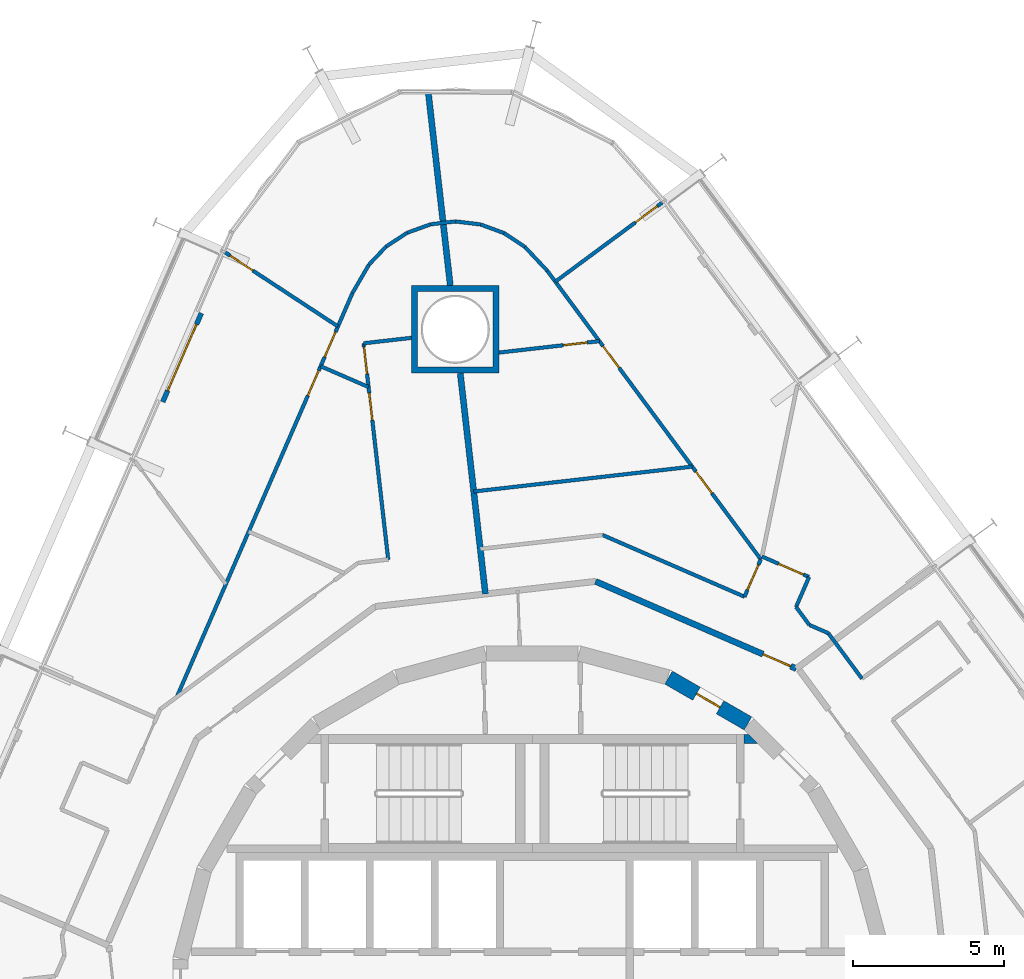
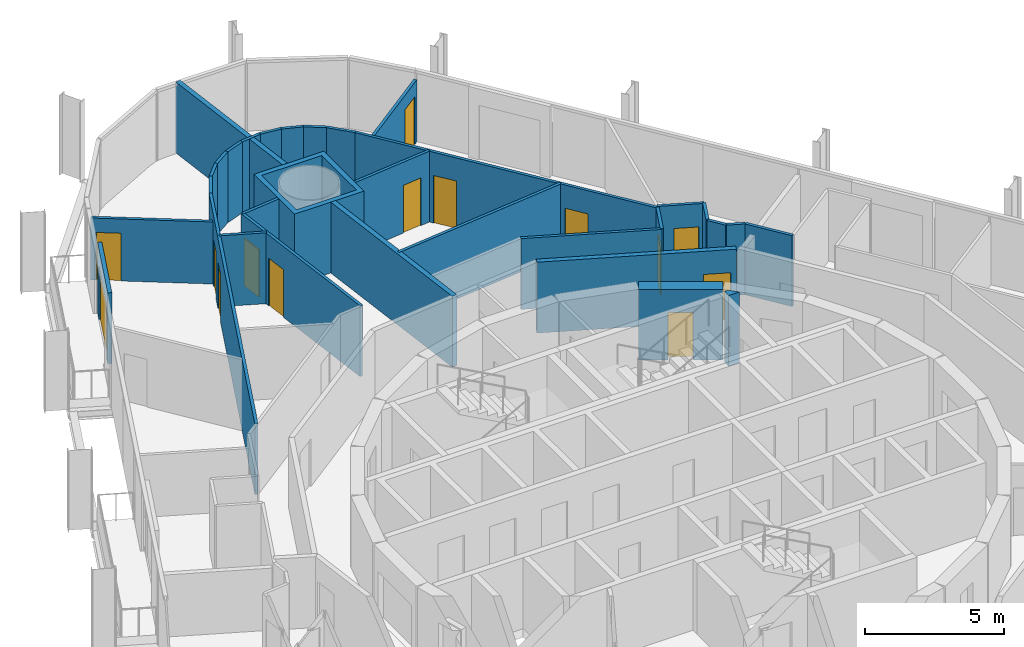
# One storey, part 19 of 22: 32 walls, 14 doors, 14 openings.
"""IFC4 building model written with IfcOpenShell, lengths in metres."""

from ifc_helpers import new_model, si_unit, direction, frame, frame_2d, origin, place, context, subcontext, project, spatial, polyline, rectangle, outline, extrude, material, layer, layer_set, type_object, element, fill, save


model = new_model("IFC4")

# Units and contexts
model_context = context("Model", 3, precision=1e-05, world=origin(), true_north=direction((0.0, 1.0)))
body_context = subcontext(model_context, "Body", "Model", "MODEL_VIEW")
ifc_project = project(units=[si_unit("LENGTHUNIT", "METRE"), si_unit("AREAUNIT", "SQUARE_METRE"), si_unit("VOLUMEUNIT", "CUBIC_METRE"), si_unit("PLANEANGLEUNIT", "RADIAN"), si_unit("MASSUNIT", "GRAM", prefix="KILO")], contexts=[model_context])

# Site, building, storey
site_placement = place(None, origin())
site = spatial("IfcSite", under=ifc_project, at=site_placement, CompositionType="ELEMENT")
building_placement = place(site_placement, origin())
building = spatial("IfcBuilding", under=site, at=building_placement, Name="Spindle Arch Residences", CompositionType="ELEMENT")
storey_placement = place(building_placement, frame((0.0, 0.0, 80.199951171875)))
storey = spatial("IfcBuildingStorey", under=building, at=storey_placement, Name="L18", CompositionType="ELEMENT", Elevation=80.199951171875)

# Wall, opening, door
ifc_material_1 = material(Name="Concrete C50/60", Category="concrete")
ifc_layer_1 = layer(ifc_material_1, 0.5)
ifc_layer_set_1 = layer_set([ifc_layer_1], Name="Core outline wall 500")
wall_type_1 = type_object("IfcWallType", Name="Core outline wall 500", PredefinedType="SHEAR", material=ifc_layer_set_1)
wall_1_placement = place(storey_placement, frame((7.13671875, 9.32861328125, 0.0), z_axis=(0.0, 0.0, 1.0), x_axis=(-0.865975092491, 0.500087131594, 0.0)))
wall_1 = element("IfcWall", 1, at=wall_1_placement, inside=storey, type_object=wall_type_1, Name="Core outline wall 10", PredefinedType="SHEAR", context=body_context, shape_type="SweptSolid", body=[
    extrude(rectangle(XDim=3.03271484375, YDim=0.5, at=frame_2d((1.516357421875, 0.0))), origin(), (0.0, 0.0, 1.0), 3.1201171875),
])
opening_1_placement = place(wall_1_placement, frame((1.06640625, 0.0, 0.0)))
opening_1 = element("IfcOpeningElement", 2, at=opening_1_placement, cuts=wall_1, Name="Opening R2A1-WD11", PredefinedType="OPENING", context=body_context, shape_type="SweptSolid", body=[
    extrude(rectangle(XDim=0.89990234375, YDim=2.10009765625, at=frame_2d((0.449951171875, 1.050048828125))), frame((0.0, 0.260009765625, 0.0), z_axis=(0.0, -1.0, 0.0), x_axis=(1.0, 0.0, 0.0)), (0.0, 0.0, 1.0), 0.52001953125),
])
ifc_material_2 = material(Name="Steel, fire-resisting door", Category="steel")
door_type_1 = type_object("IfcDoorType", Name="Service room door 900x2100", OperationType="SINGLE_SWING_LEFT", PredefinedType="DOOR", material=ifc_material_2)
door_1_placement = place(opening_1_placement, origin())
door_1 = element("IfcDoor", 3, at=door_1_placement, inside=storey, type_object=door_type_1, Name="Service room door R2A1-WD11", OperationType="SINGLE_SWING_RIGHT", OverallHeight=2.10009765625, OverallWidth=0.89990234375, PredefinedType="DOOR", context=body_context, shape_type="SweptSolid", body=[
    extrude(rectangle(XDim=0.89990234375, YDim=2.10009765625, at=frame_2d((0.449951171875, 1.050048828125))), frame((0.0, 0.02490234375, 0.0), z_axis=(0.0, -1.0, 0.0), x_axis=(1.0, 0.0, 0.0)), (0.0, 0.0, 1.0), 0.050048828125),
])
fill(opening_1, door_1)

ifc_material_3 = material(Name="Calcium silicate block, plastered")
ifc_layer_2 = layer(ifc_material_3, 0.199951171875)
ifc_layer_set_2 = layer_set([ifc_layer_2], Name="Corridor wall 200")
wall_type_2 = type_object("IfcWallType", Name="Corridor wall 200", PredefinedType="STANDARD", material=ifc_layer_set_2)
wall_2_placement = place(storey_placement, frame((8.735595703125, 11.140625, 0.0), z_axis=(0.0, 0.0, 1.0), x_axis=(-0.917051290697, 0.398769269416, 0.0)))
wall_2 = element("IfcWall", 4, at=wall_2_placement, inside=storey, type_object=wall_type_2, Name="Corridor wall R2A1-W007", PredefinedType="STANDARD", context=body_context, shape_type="SweptSolid", body=[
    extrude(rectangle(XDim=7.23974609375, YDim=0.199951171875, at=frame_2d((3.619873046875, 0.0))), origin(), (0.0, 0.0, 1.0), 3.1201171875),
])
opening_2_placement = place(wall_2_placement, frame((0.199951171875, 0.0, 0.0)))
opening_2 = element("IfcOpeningElement", 5, at=opening_2_placement, cuts=wall_2, Name="Opening R2A1-FD02", PredefinedType="OPENING", context=body_context, shape_type="SweptSolid", body=[
    extrude(rectangle(XDim=1.0, YDim=2.10009765625, at=frame_2d((0.5, 1.050048828125))), frame((0.0, 0.10986328125, 0.0), z_axis=(0.0, -1.0, 0.0), x_axis=(1.0, 0.0, 0.0)), (0.0, 0.0, 1.0), 0.219970703125),
])
ifc_material_4 = material(Name="Timber, fire-resisting door set", Category="wood")
door_type_2 = type_object("IfcDoorType", Name="Flat entrance door 1000x2100", OperationType="NOTDEFINED", PredefinedType="DOOR", material=ifc_material_4)
door_2_placement = place(opening_2_placement, origin())
door_2 = element("IfcDoor", 6, at=door_2_placement, inside=storey, type_object=door_type_2, Name="Flat entrance door R2A1-FD02", OperationType="SINGLE_SWING_RIGHT", OverallHeight=2.10009765625, OverallWidth=1.0, PredefinedType="DOOR", context=body_context, shape_type="SweptSolid", body=[
    extrude(rectangle(XDim=1.0, YDim=2.10009765625, at=frame_2d((0.5, 1.050048828125))), frame((0.0, 0.02490234375, 0.0), z_axis=(0.0, -1.0, 0.0), x_axis=(1.0, 0.0, 0.0)), (0.0, 0.0, 1.0), 0.050048828125),
])
fill(opening_2, door_2)

# Walls
ifc_material_5 = material(Name="Plasterboard on steel studs", Category="steel")
ifc_layer_3 = layer(ifc_material_5, 0.1201171875)
ifc_layer_set_3 = layer_set([ifc_layer_3], Name="Flat partition 120")
wall_type_3 = type_object("IfcWallType", Name="Flat partition 120", PredefinedType="PARTITIONING", material=ifc_layer_set_3)
wall_3_placement = place(storey_placement, frame((10.90966796875, 10.810302734375, 0.0), z_axis=(0.0, 0.0, 1.0), x_axis=(-0.59489693125, 0.803801991282, 0.0)))
element("IfcWall", 7, at=wall_3_placement, inside=storey, type_object=wall_type_3, Name="Flat partition R2A1-W033", PredefinedType="PARTITIONING", context=body_context, shape_type="SweptSolid", body=[
    extrude(rectangle(XDim=1.872314453125, YDim=0.1201171875, at=frame_2d((0.93603515625, 0.0))), origin(), (0.0, 0.0, 1.0), 3.1201171875),
])
wall_4_placement = place(storey_placement, frame((9.7958984375, 12.315185546875, 0.0), z_axis=(0.0, 0.0, 1.0), x_axis=(-0.916973672273, 0.398947721335, 0.0)))
element("IfcWall", 8, at=wall_4_placement, inside=storey, type_object=wall_type_3, Name="Flat partition R2A1-W047", PredefinedType="PARTITIONING", context=body_context, shape_type="SweptSolid", body=[
    extrude(rectangle(XDim=0.684814453125, YDim=0.1201171875, at=frame_2d((0.34228515625, 0.0))), origin(), (0.0, 0.0, 1.0), 3.1201171875),
])
wall_5_placement = place(storey_placement, frame((9.16796875, 12.58837890625, 0.0), z_axis=(0.0, 0.0, 1.0), x_axis=(-0.595069416139, 0.803674305908, 0.0)))
element("IfcWall", 9, at=wall_5_placement, inside=storey, type_object=wall_type_3, Name="Flat partition R2A1-W048", PredefinedType="PARTITIONING", context=body_context, shape_type="SweptSolid", body=[
    extrude(rectangle(XDim=0.738525390625, YDim=0.1201171875, at=frame_2d((0.369140625, 0.0))), origin(), (0.0, 0.0, 1.0), 3.1201171875),
])
wall_6_placement = place(storey_placement, frame((8.728515625, 13.181884765625, 0.0), z_axis=(0.0, 0.0, 1.0), x_axis=(0.398792168027, 0.917041333158, 0.0)))
element("IfcWall", 10, at=wall_6_placement, inside=storey, type_object=wall_type_3, Name="Flat partition R2A1-W049", PredefinedType="PARTITIONING", context=body_context, shape_type="SweptSolid", body=[
    extrude(rectangle(XDim=1.0810546875, YDim=0.1201171875, at=frame_2d((0.54052734375, 0.0))), origin(), (0.0, 0.0, 1.0), 3.1201171875),
])

# Wall, opening, door
wall_7_placement = place(storey_placement, frame((9.15966796875, 14.17333984375, 0.0), z_axis=(0.0, 0.0, 1.0), x_axis=(-0.917044941137, 0.398783871208, 0.0)))
wall_7 = element("IfcWall", 11, at=wall_7_placement, inside=storey, type_object=wall_type_3, Name="Flat partition R2A1-W050", PredefinedType="PARTITIONING", context=body_context, shape_type="SweptSolid", body=[
    extrude(rectangle(XDim=1.7001953125, YDim=0.1201171875, at=frame_2d((0.85009765625, 0.0))), origin(), (0.0, 0.0, 1.0), 3.1201171875),
])
opening_3_placement = place(wall_7_placement, frame((0.199951171875, 0.0, 0.0)))
opening_3 = element("IfcOpeningElement", 12, at=opening_3_placement, cuts=wall_7, Name="Opening R2A1-ID06", PredefinedType="OPENING", context=body_context, shape_type="SweptSolid", body=[
    extrude(rectangle(XDim=0.89990234375, YDim=2.10009765625, at=frame_2d((0.449951171875, 1.050048828125))), frame((0.0, 0.070068359375, 0.0), z_axis=(0.0, -1.0, 0.0), x_axis=(1.0, 0.0, 0.0)), (0.0, 0.0, 1.0), 0.14013671875),
])
ifc_material_6 = material(Name="Timber door set", Category="wood")
door_type_3 = type_object("IfcDoorType", Name="Room door 900x2100", OperationType="NOTDEFINED", PredefinedType="DOOR", material=ifc_material_6)
door_3_placement = place(opening_3_placement, origin())
door_3 = element("IfcDoor", 13, at=door_3_placement, inside=storey, type_object=door_type_3, Name="Room door R2A1-ID06", OperationType="SINGLE_SWING_RIGHT", OverallHeight=2.10009765625, OverallWidth=0.89990234375, PredefinedType="DOOR", context=body_context, shape_type="SweptSolid", body=[
    extrude(rectangle(XDim=0.89990234375, YDim=2.10009765625, at=frame_2d((0.449951171875, 1.050048828125))), frame((0.0, 0.02490234375, 0.0), z_axis=(0.0, -1.0, 0.0), x_axis=(1.0, 0.0, 0.0)), (0.0, 0.0, 1.0), 0.050048828125),
])
fill(opening_3, door_3)

wall_8_placement = place(storey_placement, frame((7.56103515625, 14.760009765625, 0.0), z_axis=(0.0, 0.0, 1.0), x_axis=(-0.398712893488, -0.917075803064, 0.0)))
wall_8 = element("IfcWall", 14, at=wall_8_placement, inside=storey, type_object=wall_type_3, Name="Flat partition R2A1-W051", PredefinedType="PARTITIONING", context=body_context, shape_type="SweptSolid", body=[
    extrude(rectangle(XDim=1.350830078125, YDim=0.1201171875, at=frame_2d((0.67529296875, 0.0))), origin(), (0.0, 0.0, 1.0), 3.1201171875),
])
opening_4_placement = place(wall_8_placement, frame((0.199951171875, 0.0, 0.0)))
opening_4 = element("IfcOpeningElement", 15, at=opening_4_placement, cuts=wall_8, Name="Opening R2A1-ID07", PredefinedType="OPENING", context=body_context, shape_type="SweptSolid", body=[
    extrude(rectangle(XDim=0.89990234375, YDim=2.10009765625, at=frame_2d((0.449951171875, 1.050048828125))), frame((0.0, 0.070068359375, 0.0), z_axis=(0.0, -1.0, 0.0), x_axis=(1.0, 0.0, 0.0)), (0.0, 0.0, 1.0), 0.14013671875),
])
door_4_placement = place(opening_4_placement, origin())
door_4 = element("IfcDoor", 16, at=door_4_placement, inside=storey, type_object=door_type_3, Name="Room door R2A1-ID07", OperationType="SINGLE_SWING_LEFT", OverallHeight=2.10009765625, OverallWidth=0.89990234375, PredefinedType="DOOR", context=body_context, shape_type="SweptSolid", body=[
    extrude(rectangle(XDim=0.89990234375, YDim=2.10009765625, at=frame_2d((0.449951171875, 1.050048828125))), frame((0.0, 0.02490234375, 0.0), z_axis=(0.0, -1.0, 0.0), x_axis=(1.0, 0.0, 0.0)), (0.0, 0.0, 1.0), 0.050048828125),
])
fill(opening_4, door_4)

# Wall
wall_9_placement = place(storey_placement, frame((7.0224609375, 13.521240234375, 0.0), z_axis=(0.0, 0.0, 1.0), x_axis=(-0.91706854044, 0.398729597767, 0.0)))
element("IfcWall", 17, at=wall_9_placement, inside=storey, type_object=wall_type_3, Name="Flat partition R2A1-W052", PredefinedType="PARTITIONING", context=body_context, shape_type="SweptSolid", body=[
    extrude(rectangle(XDim=5.121337890625, YDim=0.1201171875, at=frame_2d((2.560546875, 0.0))), origin(), (0.0, 0.0, 1.0), 3.1201171875),
])

# Wall, openings, doors
wall_10_placement = place(storey_placement, frame((0.49755859375, 24.3056640625, 0.0), z_axis=(0.0, 0.0, 1.0), x_axis=(0.594826266513, -0.803854285718, 0.0)))
wall_10 = element("IfcWall", 18, at=wall_10_placement, inside=storey, type_object=wall_type_3, Name="Flat partition R2A1-W055", PredefinedType="PARTITIONING", context=body_context, shape_type="SweptSolid", body=[
    extrude(rectangle(XDim=11.874755859375, YDim=0.1201171875, at=frame_2d((5.9375, 0.0))), origin(), (0.0, 0.0, 1.0), 3.1201171875),
])
opening_5_placement = place(wall_10_placement, frame((8.259521484375, 0.0, 0.0)))
opening_5 = element("IfcOpeningElement", 19, at=opening_5_placement, cuts=wall_10, Name="Opening R2A1-ID08", PredefinedType="OPENING", context=body_context, shape_type="SweptSolid", body=[
    extrude(rectangle(XDim=0.89990234375, YDim=2.10009765625, at=frame_2d((0.449951171875, 1.050048828125))), frame((0.0, 0.070068359375, 0.0), z_axis=(0.0, -1.0, 0.0), x_axis=(1.0, 0.0, 0.0)), (0.0, 0.0, 1.0), 0.14013671875),
])
opening_6_placement = place(wall_10_placement, frame((3.093505859375, 0.0, 0.0)))
opening_6 = element("IfcOpeningElement", 20, at=opening_6_placement, cuts=wall_10, Name="Opening R2A1-ID09", PredefinedType="OPENING", context=body_context, shape_type="SweptSolid", body=[
    extrude(rectangle(XDim=0.89990234375, YDim=2.10009765625, at=frame_2d((0.449951171875, 1.050048828125))), frame((0.0, 0.070068359375, 0.0), z_axis=(0.0, -1.0, 0.0), x_axis=(1.0, 0.0, 0.0)), (0.0, 0.0, 1.0), 0.14013671875),
])
door_5_placement = place(opening_5_placement, origin())
door_5 = element("IfcDoor", 21, at=door_5_placement, inside=storey, type_object=door_type_3, Name="Room door R2A1-ID08", OperationType="SINGLE_SWING_RIGHT", OverallHeight=2.10009765625, OverallWidth=0.89990234375, PredefinedType="DOOR", context=body_context, shape_type="SweptSolid", body=[
    extrude(rectangle(XDim=0.89990234375, YDim=2.10009765625, at=frame_2d((0.449951171875, 1.050048828125))), frame((0.0, 0.02490234375, 0.0), z_axis=(0.0, -1.0, 0.0), x_axis=(1.0, 0.0, 0.0)), (0.0, 0.0, 1.0), 0.050048828125),
])
fill(opening_5, door_5)
door_6_placement = place(opening_6_placement, origin())
door_6 = element("IfcDoor", 22, at=door_6_placement, inside=storey, type_object=door_type_3, Name="Room door R2A1-ID09", OperationType="SINGLE_SWING_LEFT", OverallHeight=2.10009765625, OverallWidth=0.89990234375, PredefinedType="DOOR", context=body_context, shape_type="SweptSolid", body=[
    extrude(rectangle(XDim=0.89990234375, YDim=2.10009765625, at=frame_2d((0.449951171875, 1.050048828125))), frame((0.0, 0.02490234375, 0.0), z_axis=(0.0, -1.0, 0.0), x_axis=(1.0, 0.0, 0.0)), (0.0, 0.0, 1.0), 0.050048828125),
])
fill(opening_6, door_6)

# Wall
wall_11_placement = place(storey_placement, frame((5.29150390625, 17.826904296875, 0.0), z_axis=(0.0, 0.0, 1.0), x_axis=(-0.993570041735, -0.113219133399, 0.0)))
element("IfcWall", 23, at=wall_11_placement, inside=storey, type_object=wall_type_3, Name="Flat partition R2A1-W057", PredefinedType="PARTITIONING", context=body_context, shape_type="SweptSolid", body=[
    extrude(rectangle(XDim=7.275634765625, YDim=0.1201171875, at=frame_2d((3.6376953125, 0.0))), origin(), (0.0, 0.0, 1.0), 3.1201171875),
])

# Wall, opening, door
wall_12_placement = place(storey_placement, frame((2.21875, 21.9794921875, 0.0), z_axis=(0.0, 0.0, 1.0), x_axis=(-0.99357408397, -0.113183654573, 0.0)))
wall_12 = element("IfcWall", 24, at=wall_12_placement, inside=storey, type_object=wall_type_3, Name="Flat partition R2A1-W058", PredefinedType="PARTITIONING", context=body_context, shape_type="SweptSolid", body=[
    extrude(rectangle(XDim=3.339111328125, YDim=0.1201171875, at=frame_2d((1.66943359375, 0.0))), origin(), (0.0, 0.0, 1.0), 3.1201171875),
])
opening_7_placement = place(wall_12_placement, frame((0.39990234375, 0.0, 0.0)))
opening_7 = element("IfcOpeningElement", 25, at=opening_7_placement, cuts=wall_12, Name="Opening R2A1-BD03", PredefinedType="OPENING", context=body_context, shape_type="SweptSolid", body=[
    extrude(rectangle(XDim=0.800048828125, YDim=2.10009765625, at=frame_2d((0.39990234375, 1.050048828125))), frame((0.0, 0.070068359375, 0.0), z_axis=(0.0, -1.0, 0.0), x_axis=(1.0, 0.0, 0.0)), (0.0, 0.0, 1.0), 0.14013671875),
])
ifc_material_7 = material(Name="Timber door set", Category="wood")
door_type_4 = type_object("IfcDoorType", Name="Bathroom door 800x2100", OperationType="NOTDEFINED", PredefinedType="DOOR", material=ifc_material_7)
door_7_placement = place(opening_7_placement, origin())
door_7 = element("IfcDoor", 26, at=door_7_placement, inside=storey, type_object=door_type_4, Name="Bathroom door R2A1-BD03", OperationType="SINGLE_SWING_RIGHT", OverallHeight=2.10009765625, OverallWidth=0.800048828125, PredefinedType="DOOR", context=body_context, shape_type="SweptSolid", body=[
    extrude(rectangle(XDim=0.800048828125, YDim=2.10009765625, at=frame_2d((0.39990234375, 1.050048828125))), frame((0.0, 0.02490234375, 0.0), z_axis=(0.0, -1.0, 0.0), x_axis=(1.0, 0.0, 0.0)), (0.0, 0.0, 1.0), 0.050048828125),
])
fill(opening_7, door_7)

# Walls
for number, where, z_axis, x_axis, name in (
    (27, (-3.36181640625, 25.846435546875, 0.0), (0.0, 0.0, 1.0), (0.993548802859, 0.113405362912, 0.0), "Flat partition R2A1-W059"),
    (28, (-2.538330078125, 25.9404296875, 0.0), (0.0, 0.0, 1.0), (0.992894945409, -0.118994232556, 0.0), "Flat partition R2A1-W060"),
    (29, (-1.71533203125, 25.841796875, 0.0), (0.0, 0.0, 1.0), (0.938644465852, -0.344886309856, 0.0), "Flat partition R2A1-W061"),
    (30, (-0.937255859375, 25.555908203125, 0.0), (0.0, 0.0, 1.0), (0.833858440069, -0.551978352769, 0.0), "Flat partition R2A1-W062"),
):
    element("IfcWall", number, at=place(storey_placement, frame(where, z_axis=z_axis, x_axis=x_axis)), inside=storey, type_object=wall_type_3, Name=name, PredefinedType="PARTITIONING", context=body_context, shape_type="SweptSolid", body=[
        extrude(rectangle(XDim=0.828857421875, YDim=0.1201171875, at=frame_2d((0.41455078125, 0.0))), origin(), (0.0, 0.0, 1.0), 3.1201171875),
    ])
wall_13_placement = place(storey_placement, frame((-0.24609375, 25.098388671875, 0.0), z_axis=(0.0, 0.0, 1.0), x_axis=(0.684172712488, -0.729320025426, 0.0)))
element("IfcWall", 31, at=wall_13_placement, inside=storey, type_object=wall_type_3, Name="Flat partition R2A1-W063", PredefinedType="PARTITIONING", context=body_context, shape_type="SweptSolid", body=[
    extrude(rectangle(XDim=1.0869140625, YDim=0.1201171875, at=frame_2d((0.54345703125, 0.0))), origin(), (0.0, 0.0, 1.0), 3.1201171875),
])
wall_14_placement = place(storey_placement, frame((-3.998779296875, 22.089111328125, 0.0), z_axis=(0.0, 0.0, 1.0), x_axis=(-0.993550908639, -0.113386912568, 0.0)))
element("IfcWall", 32, at=wall_14_placement, inside=storey, type_object=wall_type_3, Name="Flat partition R2A1-W064", PredefinedType="PARTITIONING", context=body_context, shape_type="SweptSolid", body=[
    extrude(rectangle(XDim=1.595458984375, YDim=0.1201171875, at=frame_2d((0.7978515625, 0.0))), origin(), (0.0, 0.0, 1.0), 3.1201171875),
])

# Wall, openings, doors
wall_15_placement = place(storey_placement, frame((-5.583984375, 21.908203125, 0.0), z_axis=(0.0, 0.0, 1.0), x_axis=(0.113192725021, -0.993573050662, 0.0)))
wall_15 = element("IfcWall", 33, at=wall_15_placement, inside=storey, type_object=wall_type_3, Name="Flat partition R2A1-W065", PredefinedType="PARTITIONING", context=body_context, shape_type="SweptSolid", body=[
    extrude(rectangle(XDim=7.19970703125, YDim=0.1201171875, at=frame_2d((3.599853515625, 0.0))), origin(), (0.0, 0.0, 1.0), 3.1201171875),
])
opening_8_placement = place(wall_15_placement, frame((0.1201171875, 0.0, 0.0)))
opening_8 = element("IfcOpeningElement", 34, at=opening_8_placement, cuts=wall_15, Name="Opening R2A1-ID11", PredefinedType="OPENING", context=body_context, shape_type="SweptSolid", body=[
    extrude(rectangle(XDim=0.89990234375, YDim=2.10009765625, at=frame_2d((0.449951171875, 1.050048828125))), frame((0.0, 0.070068359375, 0.0), z_axis=(0.0, -1.0, 0.0), x_axis=(1.0, 0.0, 0.0)), (0.0, 0.0, 1.0), 0.14013671875),
])
opening_9_placement = place(wall_15_placement, frame((1.658203125, 0.0, 0.0)))
opening_9 = element("IfcOpeningElement", 35, at=opening_9_placement, cuts=wall_15, Name="Opening R2A1-ID12", PredefinedType="OPENING", context=body_context, shape_type="SweptSolid", body=[
    extrude(rectangle(XDim=0.89990234375, YDim=2.10009765625, at=frame_2d((0.449951171875, 1.050048828125))), frame((0.0, 0.070068359375, 0.0), z_axis=(0.0, -1.0, 0.0), x_axis=(1.0, 0.0, 0.0)), (0.0, 0.0, 1.0), 0.14013671875),
])
door_8_placement = place(opening_8_placement, origin())
door_8 = element("IfcDoor", 36, at=door_8_placement, inside=storey, type_object=door_type_3, Name="Room door R2A1-ID11", OperationType="SINGLE_SWING_RIGHT", OverallHeight=2.10009765625, OverallWidth=0.89990234375, PredefinedType="DOOR", context=body_context, shape_type="SweptSolid", body=[
    extrude(rectangle(XDim=0.89990234375, YDim=2.10009765625, at=frame_2d((0.449951171875, 1.050048828125))), frame((0.0, 0.02490234375, 0.0), z_axis=(0.0, -1.0, 0.0), x_axis=(1.0, 0.0, 0.0)), (0.0, 0.0, 1.0), 0.050048828125),
])
fill(opening_8, door_8)
door_9_placement = place(opening_9_placement, origin())
door_9 = element("IfcDoor", 37, at=door_9_placement, inside=storey, type_object=door_type_3, Name="Room door R2A1-ID12", OperationType="SINGLE_SWING_LEFT", OverallHeight=2.10009765625, OverallWidth=0.89990234375, PredefinedType="DOOR", context=body_context, shape_type="SweptSolid", body=[
    extrude(rectangle(XDim=0.89990234375, YDim=2.10009765625, at=frame_2d((0.449951171875, 1.050048828125))), frame((0.0, 0.02490234375, 0.0), z_axis=(0.0, -1.0, 0.0), x_axis=(1.0, 0.0, 0.0)), (0.0, 0.0, 1.0), 0.050048828125),
])
fill(opening_9, door_9)

# Walls
wall_16_placement = place(storey_placement, frame((-3.36181640625, 25.846435546875, 0.0), z_axis=(0.0, 0.0, 1.0), x_axis=(-0.940718391217, -0.33918860303, 0.0)))
element("IfcWall", 38, at=wall_16_placement, inside=storey, type_object=wall_type_3, Name="Flat partition R2A1-W073", PredefinedType="PARTITIONING", context=body_context, shape_type="SweptSolid", body=[
    extrude(rectangle(XDim=0.8291015625, YDim=0.1201171875, at=frame_2d((0.41455078125, 0.0))), origin(), (0.0, 0.0, 1.0), 3.1201171875),
])
wall_17_placement = place(storey_placement, frame((-4.141845703125, 25.565185546875, 0.0), z_axis=(0.0, 0.0, 1.0), x_axis=(-0.837047461437, -0.547130283664, 0.0)))
element("IfcWall", 39, at=wall_17_placement, inside=storey, type_object=wall_type_3, Name="Flat partition R2A1-W074", PredefinedType="PARTITIONING", context=body_context, shape_type="SweptSolid", body=[
    extrude(rectangle(XDim=0.82861328125, YDim=0.1201171875, at=frame_2d((0.414306640625, 0.0))), origin(), (0.0, 0.0, 1.0), 3.1201171875),
])
wall_18_placement = place(storey_placement, frame((-4.83544921875, 25.11181640625, 0.0), z_axis=(0.0, 0.0, 1.0), x_axis=(-0.688463067416, -0.72527140079, 0.0)))
element("IfcWall", 40, at=wall_18_placement, inside=storey, type_object=wall_type_3, Name="Flat partition R2A1-W075", PredefinedType="PARTITIONING", context=body_context, shape_type="SweptSolid", body=[
    extrude(rectangle(XDim=0.8291015625, YDim=0.1201171875, at=frame_2d((0.41455078125, 0.0))), origin(), (0.0, 0.0, 1.0), 3.1201171875),
])
wall_19_placement = place(storey_placement, frame((-5.40625, 24.510498046875, 0.0), z_axis=(0.0, 0.0, 1.0), x_axis=(-0.502487709822, -0.864584351858, 0.0)))
element("IfcWall", 41, at=wall_19_placement, inside=storey, type_object=wall_type_3, Name="Flat partition R2A1-W076", PredefinedType="PARTITIONING", context=body_context, shape_type="SweptSolid", body=[
    extrude(rectangle(XDim=1.0869140625, YDim=0.1201171875, at=frame_2d((0.54345703125, 0.0))), origin(), (0.0, 0.0, 1.0), 3.1201171875),
])

# Wall, openings, doors
wall_20_placement = place(storey_placement, frame((-5.952392578125, 23.57080078125, 0.0), z_axis=(0.0, 0.0, 1.0), x_axis=(-0.398745097158, -0.917061801348, 0.0)))
wall_20 = element("IfcWall", 42, at=wall_20_placement, inside=storey, type_object=wall_type_3, Name="Flat partition R2A1-W077", PredefinedType="PARTITIONING", context=body_context, shape_type="SweptSolid", body=[
    extrude(rectangle(XDim=14.576416015625, YDim=0.1201171875, at=frame_2d((7.2880859375, 0.0))), origin(), (0.0, 0.0, 1.0), 3.1201171875),
])
opening_10_placement = place(wall_20_placement, frame((2.800537109375, 0.0, 0.0)))
opening_10 = element("IfcOpeningElement", 43, at=opening_10_placement, cuts=wall_20, Name="Opening R2A1-ID14", PredefinedType="OPENING", context=body_context, shape_type="SweptSolid", body=[
    extrude(rectangle(XDim=0.89990234375, YDim=2.10009765625, at=frame_2d((0.449951171875, 1.050048828125))), frame((0.0, 0.070068359375, 0.0), z_axis=(0.0, -1.0, 0.0), x_axis=(1.0, 0.0, 0.0)), (0.0, 0.0, 1.0), 0.14013671875),
])
opening_11_placement = place(wall_20_placement, frame((1.40478515625, 0.0, 0.0)))
opening_11 = element("IfcOpeningElement", 44, at=opening_11_placement, cuts=wall_20, Name="Opening R2A1-ID17", PredefinedType="OPENING", context=body_context, shape_type="SweptSolid", body=[
    extrude(rectangle(XDim=0.89990234375, YDim=2.10009765625, at=frame_2d((0.449951171875, 1.050048828125))), frame((0.0, 0.070068359375, 0.0), z_axis=(0.0, -1.0, 0.0), x_axis=(1.0, 0.0, 0.0)), (0.0, 0.0, 1.0), 0.14013671875),
])
door_10_placement = place(opening_10_placement, origin())
door_10 = element("IfcDoor", 45, at=door_10_placement, inside=storey, type_object=door_type_3, Name="Room door R2A1-ID14", OperationType="SINGLE_SWING_LEFT", OverallHeight=2.10009765625, OverallWidth=0.89990234375, PredefinedType="DOOR", context=body_context, shape_type="SweptSolid", body=[
    extrude(rectangle(XDim=0.89990234375, YDim=2.10009765625, at=frame_2d((0.449951171875, 1.050048828125))), frame((0.0, 0.02490234375, 0.0), z_axis=(0.0, -1.0, 0.0), x_axis=(1.0, 0.0, 0.0)), (0.0, 0.0, 1.0), 0.050048828125),
])
fill(opening_10, door_10)
door_11_placement = place(opening_11_placement, origin())
door_11 = element("IfcDoor", 46, at=door_11_placement, inside=storey, type_object=door_type_3, Name="Room door R2A1-ID17", OperationType="SINGLE_SWING_RIGHT", OverallHeight=2.10009765625, OverallWidth=0.89990234375, PredefinedType="DOOR", context=body_context, shape_type="SweptSolid", body=[
    extrude(rectangle(XDim=0.89990234375, YDim=2.10009765625, at=frame_2d((0.449951171875, 1.050048828125))), frame((0.0, 0.02490234375, 0.0), z_axis=(0.0, -1.0, 0.0), x_axis=(1.0, 0.0, 0.0)), (0.0, 0.0, 1.0), 0.050048828125),
])
fill(opening_11, door_11)

# Wall
wall_21_placement = place(storey_placement, frame((-7.00537109375, 21.149169921875, 0.0), z_axis=(0.0, 0.0, 1.0), x_axis=(0.917081274718, -0.398700307953, 0.0)))
element("IfcWall", 47, at=wall_21_placement, inside=storey, type_object=wall_type_3, Name="Flat partition R2A1-W078", PredefinedType="PARTITIONING", context=body_context, shape_type="SweptSolid", body=[
    extrude(rectangle(XDim=1.72998046875, YDim=0.1201171875, at=frame_2d((0.864990234375, 0.0))), origin(), (0.0, 0.0, 1.0), 3.1201171875),
])

# Wall, opening, door
ifc_material_8 = material(Name="Plasterboard on steel studs", Category="steel")
ifc_layer_4 = layer(ifc_material_8, 0.1201171875)
ifc_layer_set_4 = layer_set([ifc_layer_4], Name="Flat partition 120 under beam 2730")
wall_type_4 = type_object("IfcWallType", Name="Flat partition 120 under beam 2730", PredefinedType="PARTITIONING", material=ifc_layer_set_4)
wall_22_placement = place(storey_placement, frame((4.29931640625, 26.56494140625, 0.0), z_axis=(0.0, 0.0, 1.0), x_axis=(-0.803851981262, -0.594829380764, 0.0)))
wall_22 = element("IfcWall", 48, at=wall_22_placement, inside=storey, type_object=wall_type_4, Name="Flat partition R2A1-W056", PredefinedType="PARTITIONING", context=body_context, shape_type="SweptSolid", body=[
    extrude(rectangle(XDim=4.39990234375, YDim=0.1201171875, at=frame_2d((2.199951171875, 0.0))), origin(), (0.0, 0.0, 1.0), 2.72998046875),
])
opening_12_placement = place(wall_22_placement, frame((0.199951171875, 0.0, 0.0)))
opening_12 = element("IfcOpeningElement", 49, at=opening_12_placement, cuts=wall_22, Name="Opening R2A1-ID10", PredefinedType="OPENING", context=body_context, shape_type="SweptSolid", body=[
    extrude(rectangle(XDim=0.89990234375, YDim=2.10009765625, at=frame_2d((0.449951171875, 1.050048828125))), frame((0.0, 0.070068359375, 0.0), z_axis=(0.0, -1.0, 0.0), x_axis=(1.0, 0.0, 0.0)), (0.0, 0.0, 1.0), 0.14013671875),
])
door_12_placement = place(opening_12_placement, origin())
door_12 = element("IfcDoor", 50, at=door_12_placement, inside=storey, type_object=door_type_3, Name="Room door R2A1-ID10", OperationType="SINGLE_SWING_RIGHT", OverallHeight=2.10009765625, OverallWidth=0.89990234375, PredefinedType="DOOR", context=body_context, shape_type="SweptSolid", body=[
    extrude(rectangle(XDim=0.89990234375, YDim=2.10009765625, at=frame_2d((0.449951171875, 1.050048828125))), frame((0.0, 0.02490234375, 0.0), z_axis=(0.0, -1.0, 0.0), x_axis=(1.0, 0.0, 0.0)), (0.0, 0.0, 1.0), 0.050048828125),
])
fill(opening_12, door_12)

wall_23_placement = place(storey_placement, frame((-10.1650390625, 24.9169921875, 0.0), z_axis=(0.0, 0.0, 1.0), x_axis=(0.835849562932, -0.548958566876, 0.0)))
wall_23 = element("IfcWall", 51, at=wall_23_placement, inside=storey, type_object=wall_type_4, Name="Flat partition R2A1-W079", PredefinedType="PARTITIONING", context=body_context, shape_type="SweptSolid", body=[
    extrude(rectangle(XDim=4.465087890625, YDim=0.1201171875, at=frame_2d((2.232421875, 0.0))), origin(), (0.0, 0.0, 1.0), 2.72998046875),
])
opening_13_placement = place(wall_23_placement, frame((0.199951171875, 0.0, 0.0)))
opening_13 = element("IfcOpeningElement", 52, at=opening_13_placement, cuts=wall_23, Name="Opening R2A1-ID15", PredefinedType="OPENING", context=body_context, shape_type="SweptSolid", body=[
    extrude(rectangle(XDim=0.89990234375, YDim=2.10009765625, at=frame_2d((0.449951171875, 1.050048828125))), frame((0.0, 0.070068359375, 0.0), z_axis=(0.0, -1.0, 0.0), x_axis=(1.0, 0.0, 0.0)), (0.0, 0.0, 1.0), 0.14013671875),
])
door_13_placement = place(opening_13_placement, origin())
door_13 = element("IfcDoor", 53, at=door_13_placement, inside=storey, type_object=door_type_3, Name="Room door R2A1-ID15", OperationType="SINGLE_SWING_LEFT", OverallHeight=2.10009765625, OverallWidth=0.89990234375, PredefinedType="DOOR", context=body_context, shape_type="SweptSolid", body=[
    extrude(rectangle(XDim=0.89990234375, YDim=2.10009765625, at=frame_2d((0.449951171875, 1.050048828125))), frame((0.0, 0.02490234375, 0.0), z_axis=(0.0, -1.0, 0.0), x_axis=(1.0, 0.0, 0.0)), (0.0, 0.0, 1.0), 0.050048828125),
])
fill(opening_13, door_13)

# Walls
ifc_material_9 = material(Name="Calcium silicate block, plastered")
ifc_layer_5 = layer(ifc_material_9, 0.199951171875)
ifc_layer_set_5 = layer_set([ifc_layer_5], Name="Flat party wall 200")
wall_type_5 = type_object("IfcWallType", Name="Flat party wall 200", PredefinedType="STANDARD", material=ifc_layer_set_5)
wall_24_placement = place(storey_placement, frame((-2.384521484375, 20.92041015625, 0.0), z_axis=(0.0, 0.0, 1.0), x_axis=(0.113177776247, -0.993574753586, 0.0)))
element("IfcWall", 54, at=wall_24_placement, inside=storey, type_object=wall_type_5, Name="Flat party wall R2A1-W020", PredefinedType="STANDARD", context=body_context, shape_type="SweptSolid", body=[
    extrude(rectangle(XDim=7.35595703125, YDim=0.199951171875, at=frame_2d((3.677978515625, 0.0))), origin(), (0.0, 0.0, 1.0), 3.1201171875),
])
wall_25_placement = place(storey_placement, frame((-3.4482421875, 30.26513671875, 0.0), z_axis=(0.0, 0.0, 1.0), x_axis=(0.113178237968, -0.993574700992, 0.0)))
element("IfcWall", 55, at=wall_25_placement, inside=storey, type_object=wall_type_5, Name="Flat party wall R2A1-W021", PredefinedType="STANDARD", context=body_context, shape_type="SweptSolid", body=[
    extrude(rectangle(XDim=6.486572265625, YDim=0.199951171875, at=frame_2d((3.2431640625, 0.0))), origin(), (0.0, 0.0, 1.0), 3.1201171875),
])

# Wall, opening, door
ifc_material_10 = material(Name="Non-combustible mineral wool insulated aluminium faced external wall (K0)", Category="aluminium")
ifc_layer_6 = layer(ifc_material_10, 0.159912109375)
ifc_layer_set_6 = layer_set([ifc_layer_6], Name="Insulated external wall panel 160")
wall_type_6 = type_object("IfcWallType", Name="Insulated external wall panel 160", PredefinedType="STANDARD", material=ifc_layer_set_6)
wall_26_placement = place(storey_placement, frame((-10.95263671875, 22.90478515625, 0.0), z_axis=(0.0, 0.0, 1.0), x_axis=(-0.398784695066, -0.917044582876, 0.0)))
wall_26 = element("IfcWall", 56, at=wall_26_placement, inside=storey, type_object=wall_type_6, Name="External wall L18 bay 14", PredefinedType="STANDARD", context=body_context, shape_type="SweptSolid", body=[
    extrude(rectangle(XDim=3.199951171875, YDim=0.159912109375, at=frame_2d((1.60009765625, 0.0))), origin(), (0.0, 0.0, 1.0), 3.1201171875),
])
opening_14_placement = place(wall_26_placement, frame((0.39990234375, 0.0, 0.0)))
opening_14 = element("IfcOpeningElement", 57, at=opening_14_placement, cuts=wall_26, Name="Opening BD14", PredefinedType="OPENING", context=body_context, shape_type="SweptSolid", body=[
    extrude(rectangle(XDim=2.39990234375, YDim=2.39990234375, at=frame_2d((1.199951171875, 1.199951171875))), frame((0.0, 0.08984375, 0.0), z_axis=(0.0, -1.0, 0.0), x_axis=(1.0, 0.0, 0.0)), (0.0, 0.0, 1.0), 0.179931640625),
])
ifc_material_11 = material(Name="Bronze aluminium frame, tinted double glazing", Category="aluminium")
door_type_5 = type_object("IfcDoorType", Name="Sliding glazed balcony door 2400x2400", OperationType="DOUBLE_DOOR_SLIDING", PredefinedType="DOOR", material=ifc_material_11)
door_14_placement = place(opening_14_placement, origin())
door_14 = element("IfcDoor", 58, at=door_14_placement, inside=storey, type_object=door_type_5, Name="Balcony door BD14", OperationType="DOUBLE_DOOR_SLIDING", OverallHeight=2.39990234375, OverallWidth=2.39990234375, PredefinedType="DOOR", context=body_context, shape_type="SweptSolid", body=[
    extrude(rectangle(XDim=2.39990234375, YDim=2.39990234375, at=frame_2d((1.199951171875, 1.199951171875))), frame((0.0, 0.02490234375, 0.0), z_axis=(0.0, -1.0, 0.0), x_axis=(1.0, 0.0, 0.0)), (0.0, 0.0, 1.0), 0.050048828125),
])
fill(opening_14, door_14)

# Walls
ifc_material_12 = material(Name="Calcium silicate block, plastered")
ifc_layer_7 = layer(ifc_material_12, 0.199951171875)
ifc_layer_set_7 = layer_set([ifc_layer_7], Name="Mega-column casing wall 200")
wall_type_7 = type_object("IfcWallType", Name="Mega-column casing wall 200", PredefinedType="STANDARD", material=ifc_layer_set_7)
wall_27_placement = place(storey_placement, origin())
element("IfcWall", 59, at=wall_27_placement, inside=storey, type_object=wall_type_7, Name="Mega-column casing wall R2A1-WC01", PredefinedType="STANDARD", context=body_context, shape_type="SweptSolid", body=[
    extrude(outline(polyline([(-1.098876953125, 23.8203125), (-1.098876953125, 20.92041015625), (-3.998779296875, 20.92041015625), (-3.998779296875, 23.8203125), (-1.098876953125, 23.8203125)]), holes=[polyline([(-3.798828125, 21.120361328125), (-1.298828125, 21.120361328125), (-1.298828125, 23.620361328125), (-3.798828125, 23.620361328125), (-3.798828125, 21.120361328125)])]), origin(), (0.0, 0.0, 1.0), 3.1201171875),
])
ifc_material_13 = material(Name="Concrete C40/50", Category="concrete")
wall_type_8 = type_object("IfcWallType", Name="Stair airlock wall profile", PredefinedType="SHEAR", material=ifc_material_13)
wall_28_placement = place(storey_placement, origin())
element("IfcWall", 60, at=wall_28_placement, inside=storey, type_object=wall_type_8, Name="Stair ST-1 airlock wall N", PredefinedType="SHEAR", context=body_context, shape_type="SweptSolid", body=[
    extrude(outline(polyline([(7.4482421875, 8.669921875), (7.0, 8.669921875), (7.0, 8.969970703125), (7.148193359375, 8.969970703125), (7.4482421875, 8.669921875)])), origin(), (0.0, 0.0, 1.0), 3.1201171875),
])

save(model, "model.ifc")
